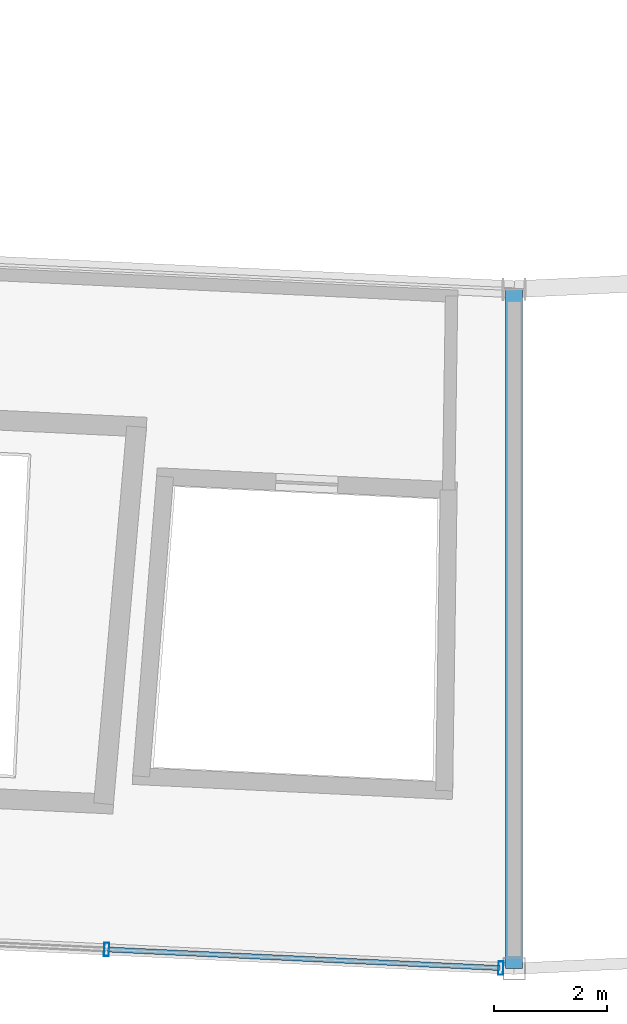
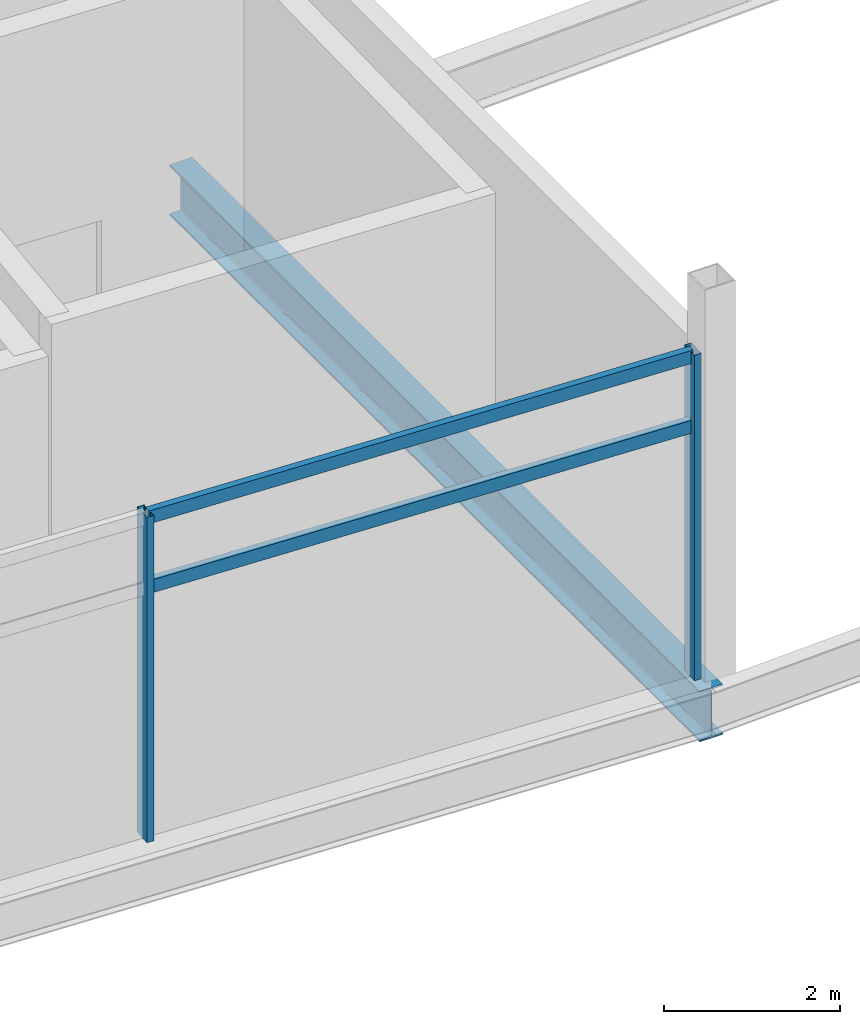
# One storey, part 33 of 86: 4 members, 1 beam, 1 element without a shape of its own.
"""IFC4 building model written with IfcOpenShell, lengths in metres."""

from ifc_helpers import new_model, si_unit, direction, frame, origin, origin_2d, place, context, subcontext, project, spatial, hollow_rectangle, i_section, extrude, material, layer, layer_set, material_profile, profile_set, type_object, element, aggregate, save


model = new_model("IFC4")

# Units and contexts
model_context = context("Model", 3, precision=1e-05, world=origin(), true_north=direction((0.0, 1.0)))
body_context = subcontext(model_context, "Body", "Model", "MODEL_VIEW")
ifc_project = project(units=[si_unit("LENGTHUNIT", "METRE"), si_unit("AREAUNIT", "SQUARE_METRE"), si_unit("VOLUMEUNIT", "CUBIC_METRE"), si_unit("PLANEANGLEUNIT", "RADIAN"), si_unit("MASSUNIT", "GRAM", prefix="KILO")], contexts=[model_context])

# Site, building, storey
site_placement = place(None, origin())
site = spatial("IfcSite", under=ifc_project, at=site_placement, CompositionType="ELEMENT")
building_placement = place(site_placement, origin())
building = spatial("IfcBuilding", under=site, at=building_placement, Name="Kazemori Nagisa Stadium", CompositionType="ELEMENT")
storey_placement = place(building_placement, frame((0.0, 0.0, 31.280029296875)))
storey = spatial("IfcBuildingStorey", under=building, at=storey_placement, Name="L06", CompositionType="ELEMENT", Elevation=31.280029296875)

# Beam
ifc_material_1 = material(Name="Steel SN490B", Category="steel")
ifc_material_profile_1 = material_profile(ifc_material_1, i_section(OverallWidth=0.300048828125, OverallDepth=0.699951171875, WebThickness=0.012939453125, FlangeThickness=0.02392578125, FilletRadius=0.01806640625, at=origin_2d()), Name="H-700x300x13x24")
ifc_profile_set_1 = profile_set([ifc_material_profile_1], Name="Steel SN490B")
beam_type = type_object("IfcBeamType", Name="Beam_BG-H700", PredefinedType="BEAM", material=ifc_profile_set_1)
beam_placement = place(storey_placement, frame((123.0, 28.0400390625, -0.610107421875), z_axis=(0.0, -1.0, 0.0), x_axis=(1.0, 0.0, 0.0)))
element("IfcBeam", 1, at=beam_placement, inside=storey, type_object=beam_type, Name="Radial girder BG-H700 L06 R2-R3-22", PredefinedType="BEAM", context=body_context, shape_type="SweptSolid", body=[
    extrude(i_section(OverallWidth=0.300048828125, OverallDepth=0.699951171875, WebThickness=0.012939453125, FlangeThickness=0.02392578125, FilletRadius=0.01806640625, at=origin_2d()), origin(), (0.0, 0.0, 1.0), 12.0400390625),
])

# Curtain wall, members
ifc_material_2 = material(Name="Anodised aluminium 6063-T5", Category="aluminium")
ifc_layer = layer(ifc_material_2, 0.239990234375, Name="Anodised aluminium 6063-T5", Category="aluminium")
ifc_layer_set = layer_set([ifc_layer], Name="Anodised aluminium 6063-T5")
curtain_wall_type = type_object("IfcCurtainWallType", Name="CW_L06R3_105", PredefinedType="USERDEFINED", material=ifc_layer_set)
curtain_wall_placement = place(storey_placement, origin())
curtain_wall = element("IfcCurtainWall", 2, at=curtain_wall_placement, inside=storey, type_object=curtain_wall_type, Name="Unitised curtain wall CW-L06R3-105 L06", ObjectType="UNITISED CURTAIN WALL", PredefinedType="USERDEFINED")
ifc_material_3 = material(Name="Aluminium 6063-T5 anodised", Category="aluminium")
ifc_material_profile_2 = material_profile(ifc_material_3, hollow_rectangle(XDim=0.090087890625, YDim=0.239990234375, WallThickness=0.0048828125, at=origin_2d()), Name="ALU-MULL-90x240x5")
ifc_profile_set_2 = profile_set([ifc_material_profile_2], Name="Aluminium 6063-T5 anodised")
member_type_1 = type_object("IfcMemberType", Name="Mullion_M03", PredefinedType="MULLION", material=ifc_profile_set_2)
member_1_placement = place(storey_placement, frame((115.779296875, 16.34130859375, 0.0), z_axis=(0.0, 0.0, 1.0), x_axis=(0.998884022476, -0.047230388971, 0.0)))
member_1 = element("IfcMember", 3, at=member_1_placement, type_object=member_type_1, Name="Curtain wall mullion CW-L06R3-105-M3", PredefinedType="MULLION", context=body_context, shape_type="SweptSolid", body=[
    extrude(hollow_rectangle(XDim=0.090087890625, YDim=0.239990234375, WallThickness=0.0048828125, at=origin_2d()), origin(), (0.0, 0.0, 1.0), 4.510009765625),
])
member_2_placement = place(storey_placement, frame((122.765380859375, 16.010986328125, 0.0), z_axis=(0.0, 0.0, 1.0), x_axis=(0.998884022476, -0.047230388971, 0.0)))
member_2 = element("IfcMember", 4, at=member_2_placement, type_object=member_type_1, Name="Curtain wall mullion CW-L06R3-105-M4", PredefinedType="MULLION", context=body_context, shape_type="SweptSolid", body=[
    extrude(hollow_rectangle(XDim=0.090087890625, YDim=0.239990234375, WallThickness=0.0048828125, at=origin_2d()), origin(), (0.0, 0.0, 1.0), 4.510009765625),
])
ifc_material_profile_3 = material_profile(ifc_material_3, hollow_rectangle(XDim=0.090087890625, YDim=0.179931640625, WallThickness=0.0048828125, at=origin_2d()), Name="ALU-TRAN-90x180x5")
ifc_profile_set_3 = profile_set([ifc_material_profile_3], Name="Aluminium 6063-T5 anodised")
member_type_2 = type_object("IfcMemberType", Name="Transom_T03", PredefinedType="USERDEFINED", material=ifc_profile_set_3)
member_3_placement = place(storey_placement, frame((115.799072265625, 16.340576171875, 3.47265625), z_axis=(0.99888286335, -0.047254897163, 0.0), x_axis=(0.047254897163, 0.99888286335, 0.0)))
member_3 = element("IfcMember", 5, at=member_3_placement, type_object=member_type_2, Name="Curtain wall transom CW-L06R3-105-T3-mid", ObjectType="TRANSOM", PredefinedType="USERDEFINED", context=body_context, shape_type="SweptSolid", body=[
    extrude(hollow_rectangle(XDim=0.090087890625, YDim=0.179931640625, WallThickness=0.0048828125, at=origin_2d()), origin(), (0.0, 0.0, 1.0), 6.9541015625),
])
member_4_placement = place(storey_placement, frame((115.799072265625, 16.340576171875, 4.43994140625), z_axis=(0.99888286335, -0.047254897163, 0.0), x_axis=(0.047254897163, 0.99888286335, 0.0)))
member_4 = element("IfcMember", 6, at=member_4_placement, type_object=member_type_2, Name="Curtain wall transom CW-L06R3-105-T3-head", ObjectType="TRANSOM", PredefinedType="USERDEFINED", context=body_context, shape_type="SweptSolid", body=[
    extrude(hollow_rectangle(XDim=0.090087890625, YDim=0.179931640625, WallThickness=0.0048828125, at=origin_2d()), origin(), (0.0, 0.0, 1.0), 6.9541015625),
])
aggregate(curtain_wall, [member_1, member_2, member_3, member_4])

save(model, "model.ifc")
